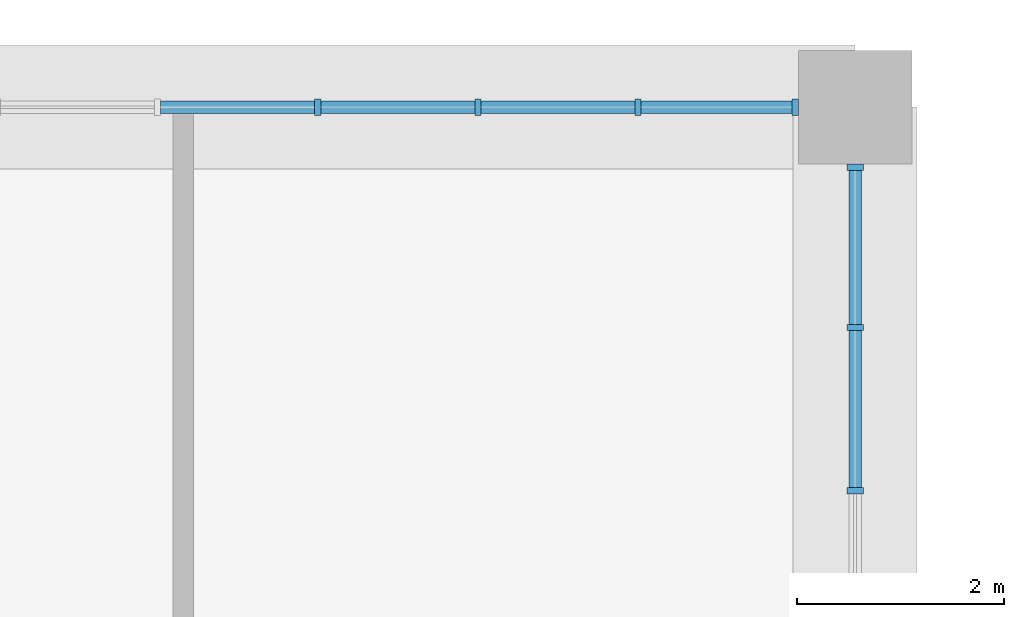
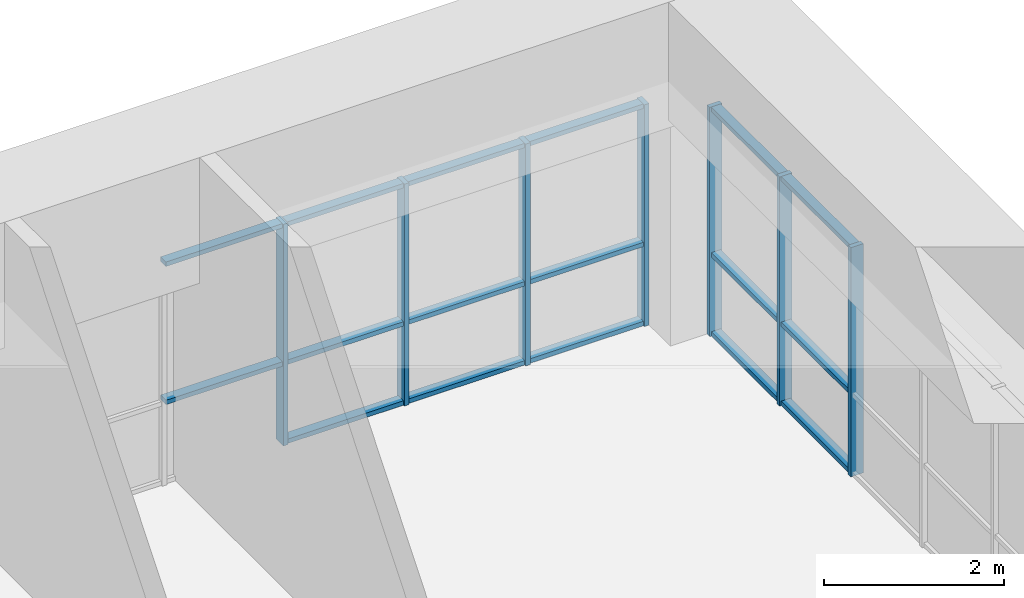
# One storey, part 16 of 27: 24 members, 2 elements without a shape of their own.
"""IFC4 building model written with IfcOpenShell, lengths in metres."""

from ifc_helpers import new_model, si_unit, direction, frame, origin, origin_2d, place, context, subcontext, project, spatial, rectangle, extrude, material, material_profile, profile_set, type_object, element, aggregate, save


model = new_model("IFC4")

# Units and contexts
model_context = context("Model", 3, precision=1e-05, world=origin(), true_north=direction((0.0, 1.0)))
body_context = subcontext(model_context, "Body", "Model", "MODEL_VIEW")
ifc_project = project(units=[si_unit("LENGTHUNIT", "METRE"), si_unit("AREAUNIT", "SQUARE_METRE"), si_unit("VOLUMEUNIT", "CUBIC_METRE"), si_unit("PLANEANGLEUNIT", "RADIAN"), si_unit("MASSUNIT", "GRAM", prefix="KILO")], contexts=[model_context])

# Site, building, storey
site_placement = place(None, origin())
site = spatial("IfcSite", under=ifc_project, at=site_placement, CompositionType="ELEMENT")
building_placement = place(site_placement, origin())
building = spatial("IfcBuilding", under=site, at=building_placement, Name="Kilele Tower Hotel", CompositionType="ELEMENT")
storey_placement = place(building_placement, frame((0.0, 0.0, 6.0)))
storey = spatial("IfcBuildingStorey", under=building, at=storey_placement, Name="L01", CompositionType="ELEMENT", Elevation=6.0)

# Curtain wall, members
ifc_material_1 = material(Name="Aluminium curtain wall, clear double glazing", Category="aluminium")
curtain_wall_type_1 = type_object("IfcCurtainWallType", Name="Podium curtain wall CW-1", PredefinedType="NOTDEFINED", material=ifc_material_1)
curtain_wall_1_placement = place(storey_placement, origin())
curtain_wall_1 = element("IfcCurtainWall", 1, at=curtain_wall_1_placement, inside=storey, type_object=curtain_wall_type_1, Name="Podium curtain wall CW-1 L01", PredefinedType="NOTDEFINED")
ifc_material_2 = material(Name="Aluminium EN AW-6063 T6", Category="aluminium")
ifc_material_profile_1 = material_profile(ifc_material_2, rectangle(XDim=0.159912109375, YDim=0.06005859375, at=origin_2d()))
ifc_profile_set_1 = profile_set([ifc_material_profile_1], Name="Aluminium EN AW-6063 T6")
member_type_1 = type_object("IfcMemberType", Name="Mullion 60x160 CW-1", PredefinedType="MULLION", material=ifc_profile_set_1)
member_1_placement = place(storey_placement, frame((57.919921875, 40.5, 0.0), z_axis=(0.0, 0.0, 1.0), x_axis=(0.0, -1.0, 0.0)))
member_1 = element("IfcMember", 2, at=member_1_placement, type_object=member_type_1, Name="CW-1 mullion 1", PredefinedType="MULLION", context=body_context, shape_type="SweptSolid", body=[
    extrude(rectangle(XDim=0.159912109375, YDim=0.06005859375, at=origin_2d()), origin(), (0.0, 0.0, 1.0), 3.0),
])
member_2_placement = place(storey_placement, frame((56.39990234375, 40.5, 0.0), z_axis=(0.0, 0.0, 1.0), x_axis=(0.0, -1.0, 0.0)))
member_2 = element("IfcMember", 3, at=member_2_placement, type_object=member_type_1, Name="CW-1 mullion 2", PredefinedType="MULLION", context=body_context, shape_type="SweptSolid", body=[
    extrude(rectangle(XDim=0.159912109375, YDim=0.06005859375, at=origin_2d()), origin(), (0.0, 0.0, 1.0), 3.0),
])
member_3_placement = place(storey_placement, frame((54.85009765625, 40.5, 0.0), z_axis=(0.0, 0.0, 1.0), x_axis=(0.0, -1.0, 0.0)))
member_3 = element("IfcMember", 4, at=member_3_placement, type_object=member_type_1, Name="CW-1 mullion 3", PredefinedType="MULLION", context=body_context, shape_type="SweptSolid", body=[
    extrude(rectangle(XDim=0.159912109375, YDim=0.06005859375, at=origin_2d()), origin(), (0.0, 0.0, 1.0), 3.0),
])
member_4_placement = place(storey_placement, frame((53.300048828125, 40.5, 0.0), z_axis=(0.0, 0.0, 1.0), x_axis=(0.0, -1.0, 0.0)))
member_4 = element("IfcMember", 5, at=member_4_placement, type_object=member_type_1, Name="CW-1 mullion 4", PredefinedType="MULLION", context=body_context, shape_type="SweptSolid", body=[
    extrude(rectangle(XDim=0.159912109375, YDim=0.06005859375, at=origin_2d()), origin(), (0.0, 0.0, 1.0), 3.0),
])

ifc_material_3 = material(Name="Aluminium curtain wall, clear double glazing", Category="aluminium")
curtain_wall_type_2 = type_object("IfcCurtainWallType", Name="Podium side curtain wall CW-2", PredefinedType="NOTDEFINED", material=ifc_material_3)
curtain_wall_2_placement = place(storey_placement, origin())
curtain_wall_2 = element("IfcCurtainWall", 6, at=curtain_wall_2_placement, inside=storey, type_object=curtain_wall_type_2, Name="Podium side curtain wall CW-2 L01", PredefinedType="NOTDEFINED")
ifc_material_4 = material(Name="Aluminium EN AW-6063 T6", Category="aluminium")
ifc_material_profile_2 = material_profile(ifc_material_4, rectangle(XDim=0.159912109375, YDim=0.06005859375, at=origin_2d()))
ifc_profile_set_2 = profile_set([ifc_material_profile_2], Name="Aluminium EN AW-6063 T6")
member_type_2 = type_object("IfcMemberType", Name="Mullion 60x160 CW-2", PredefinedType="MULLION", material=ifc_profile_set_2)
member_5_placement = place(storey_placement, frame((58.5, 36.7900390625, 0.0), z_axis=(0.0, 0.0, 1.0), x_axis=(-1.0, 0.0, 0.0)))
member_5 = element("IfcMember", 7, at=member_5_placement, type_object=member_type_2, Name="CW-2 mullion 4", PredefinedType="MULLION", context=body_context, shape_type="SweptSolid", body=[
    extrude(rectangle(XDim=0.159912109375, YDim=0.06005859375, at=origin_2d()), origin(), (0.0, 0.0, 1.0), 3.10009765625),
])
member_6_placement = place(storey_placement, frame((58.5, 38.3701171875, 0.0), z_axis=(0.0, 0.0, 1.0), x_axis=(-1.0, 0.0, 0.0)))
member_6 = element("IfcMember", 8, at=member_6_placement, type_object=member_type_2, Name="CW-2 mullion 5", PredefinedType="MULLION", context=body_context, shape_type="SweptSolid", body=[
    extrude(rectangle(XDim=0.159912109375, YDim=0.06005859375, at=origin_2d()), origin(), (0.0, 0.0, 1.0), 3.10009765625),
])
member_7_placement = place(storey_placement, frame((58.5, 39.919921875, 0.0), z_axis=(0.0, 0.0, 1.0), x_axis=(-1.0, 0.0, 0.0)))
member_7 = element("IfcMember", 9, at=member_7_placement, type_object=member_type_2, Name="CW-2 mullion 6", PredefinedType="MULLION", context=body_context, shape_type="SweptSolid", body=[
    extrude(rectangle(XDim=0.159912109375, YDim=0.06005859375, at=origin_2d()), origin(), (0.0, 0.0, 1.0), 3.10009765625),
])

# Member
ifc_material_5 = material(Name="Aluminium EN AW-6063 T6", Category="aluminium")
ifc_material_profile_3 = material_profile(ifc_material_5, rectangle(XDim=0.1201171875, YDim=0.06005859375, at=origin_2d()))
ifc_profile_set_3 = profile_set([ifc_material_profile_3], Name="Aluminium EN AW-6063 T6")
member_type_3 = type_object("IfcMemberType", Name="Transom 60x120 CW-1", PredefinedType="USERDEFINED", material=ifc_profile_set_3)
member_8_placement = place(storey_placement, frame((57.889892578125, 40.5, 0.030029296875), z_axis=(-1.0, 0.0, 0.0), x_axis=(0.0, -1.0, 0.0)))
member_8 = element("IfcMember", 10, at=member_8_placement, type_object=member_type_3, Name="CW-1 transom 1.1", ObjectType="TRANSOM", PredefinedType="USERDEFINED", context=body_context, shape_type="SweptSolid", body=[
    extrude(rectangle(XDim=0.1201171875, YDim=0.06005859375, at=origin_2d()), origin(), (0.0, 0.0, 1.0), 1.4599609375),
])

member_9_placement = place(storey_placement, frame((57.889892578125, 40.5, 1.10009765625), z_axis=(-1.0, 0.0, 0.0), x_axis=(0.0, -1.0, 0.0)))
member_9 = element("IfcMember", 11, at=member_9_placement, type_object=member_type_3, Name="CW-1 transom 1.2", ObjectType="TRANSOM", PredefinedType="USERDEFINED", context=body_context, shape_type="SweptSolid", body=[
    extrude(rectangle(XDim=0.1201171875, YDim=0.06005859375, at=origin_2d()), origin(), (0.0, 0.0, 1.0), 1.4599609375),
])

member_10_placement = place(storey_placement, frame((57.889892578125, 40.5, 2.969970703125), z_axis=(-1.0, 0.0, 0.0), x_axis=(0.0, -1.0, 0.0)))
member_10 = element("IfcMember", 12, at=member_10_placement, type_object=member_type_3, Name="CW-1 transom 1.3", ObjectType="TRANSOM", PredefinedType="USERDEFINED", context=body_context, shape_type="SweptSolid", body=[
    extrude(rectangle(XDim=0.1201171875, YDim=0.06005859375, at=origin_2d()), origin(), (0.0, 0.0, 1.0), 1.4599609375),
])

member_11_placement = place(storey_placement, frame((56.3701171875, 40.5, 0.030029296875), z_axis=(-1.0, 0.0, 0.0), x_axis=(0.0, -1.0, 0.0)))
member_11 = element("IfcMember", 13, at=member_11_placement, type_object=member_type_3, Name="CW-1 transom 2.1", ObjectType="TRANSOM", PredefinedType="USERDEFINED", context=body_context, shape_type="SweptSolid", body=[
    extrude(rectangle(XDim=0.1201171875, YDim=0.06005859375, at=origin_2d()), origin(), (0.0, 0.0, 1.0), 1.490234375),
])

member_12_placement = place(storey_placement, frame((56.3701171875, 40.5, 1.10009765625), z_axis=(-1.0, 0.0, 0.0), x_axis=(0.0, -1.0, 0.0)))
member_12 = element("IfcMember", 14, at=member_12_placement, type_object=member_type_3, Name="CW-1 transom 2.2", ObjectType="TRANSOM", PredefinedType="USERDEFINED", context=body_context, shape_type="SweptSolid", body=[
    extrude(rectangle(XDim=0.1201171875, YDim=0.06005859375, at=origin_2d()), origin(), (0.0, 0.0, 1.0), 1.490234375),
])

member_13_placement = place(storey_placement, frame((56.3701171875, 40.5, 2.969970703125), z_axis=(-1.0, 0.0, 0.0), x_axis=(0.0, -1.0, 0.0)))
member_13 = element("IfcMember", 15, at=member_13_placement, type_object=member_type_3, Name="CW-1 transom 2.3", ObjectType="TRANSOM", PredefinedType="USERDEFINED", context=body_context, shape_type="SweptSolid", body=[
    extrude(rectangle(XDim=0.1201171875, YDim=0.06005859375, at=origin_2d()), origin(), (0.0, 0.0, 1.0), 1.490234375),
])

member_14_placement = place(storey_placement, frame((54.820068359375, 40.5, 0.030029296875), z_axis=(-1.0, 0.0, 0.0), x_axis=(0.0, -1.0, 0.0)))
member_14 = element("IfcMember", 16, at=member_14_placement, type_object=member_type_3, Name="CW-1 transom 3.1", ObjectType="TRANSOM", PredefinedType="USERDEFINED", context=body_context, shape_type="SweptSolid", body=[
    extrude(rectangle(XDim=0.1201171875, YDim=0.06005859375, at=origin_2d()), origin(), (0.0, 0.0, 1.0), 1.489990234375),
])

member_15_placement = place(storey_placement, frame((54.820068359375, 40.5, 1.10009765625), z_axis=(-1.0, 0.0, 0.0), x_axis=(0.0, -1.0, 0.0)))
member_15 = element("IfcMember", 17, at=member_15_placement, type_object=member_type_3, Name="CW-1 transom 3.2", ObjectType="TRANSOM", PredefinedType="USERDEFINED", context=body_context, shape_type="SweptSolid", body=[
    extrude(rectangle(XDim=0.1201171875, YDim=0.06005859375, at=origin_2d()), origin(), (0.0, 0.0, 1.0), 1.489990234375),
])

member_16_placement = place(storey_placement, frame((54.820068359375, 40.5, 2.969970703125), z_axis=(-1.0, 0.0, 0.0), x_axis=(0.0, -1.0, 0.0)))
member_16 = element("IfcMember", 18, at=member_16_placement, type_object=member_type_3, Name="CW-1 transom 3.3", ObjectType="TRANSOM", PredefinedType="USERDEFINED", context=body_context, shape_type="SweptSolid", body=[
    extrude(rectangle(XDim=0.1201171875, YDim=0.06005859375, at=origin_2d()), origin(), (0.0, 0.0, 1.0), 1.489990234375),
])

member_17_placement = place(storey_placement, frame((53.27001953125, 40.5, 1.10009765625), z_axis=(-1.0, 0.0, 0.0), x_axis=(0.0, -1.0, 0.0)))
member_17 = element("IfcMember", 19, at=member_17_placement, type_object=member_type_3, Name="CW-1 transom 4.2", ObjectType="TRANSOM", PredefinedType="USERDEFINED", context=body_context, shape_type="SweptSolid", body=[
    extrude(rectangle(XDim=0.1201171875, YDim=0.06005859375, at=origin_2d()), origin(), (0.0, 0.0, 1.0), 1.489990234375),
])

member_18_placement = place(storey_placement, frame((53.27001953125, 40.5, 2.969970703125), z_axis=(-1.0, 0.0, 0.0), x_axis=(0.0, -1.0, 0.0)))
member_18 = element("IfcMember", 20, at=member_18_placement, type_object=member_type_3, Name="CW-1 transom 4.3", ObjectType="TRANSOM", PredefinedType="USERDEFINED", context=body_context, shape_type="SweptSolid", body=[
    extrude(rectangle(XDim=0.1201171875, YDim=0.06005859375, at=origin_2d()), origin(), (0.0, 0.0, 1.0), 1.489990234375),
])

aggregate(curtain_wall_1, [member_1, member_2, member_3, member_4, member_8, member_9, member_10, member_11, member_12, member_13, member_14, member_15, member_16, member_17, member_18])

ifc_material_6 = material(Name="Aluminium EN AW-6063 T6", Category="aluminium")
ifc_material_profile_4 = material_profile(ifc_material_6, rectangle(XDim=0.1201171875, YDim=0.06005859375, at=origin_2d()))
ifc_profile_set_4 = profile_set([ifc_material_profile_4], Name="Aluminium EN AW-6063 T6")
member_type_4 = type_object("IfcMemberType", Name="Transom 60x120 CW-2", PredefinedType="USERDEFINED", material=ifc_profile_set_4)
member_19_placement = place(storey_placement, frame((58.5, 36.820068359375, 0.030029296875), z_axis=(0.0, 1.0, 0.0), x_axis=(-1.0, 0.0, 0.0)))
member_19 = element("IfcMember", 21, at=member_19_placement, type_object=member_type_4, Name="CW-2 transom 4.1", ObjectType="TRANSOM", PredefinedType="USERDEFINED", context=body_context, shape_type="SweptSolid", body=[
    extrude(rectangle(XDim=0.1201171875, YDim=0.06005859375, at=origin_2d()), origin(), (0.0, 0.0, 1.0), 1.52001953125),
])

member_20_placement = place(storey_placement, frame((58.5, 36.820068359375, 1.10009765625), z_axis=(0.0, 1.0, 0.0), x_axis=(-1.0, 0.0, 0.0)))
member_20 = element("IfcMember", 22, at=member_20_placement, type_object=member_type_4, Name="CW-2 transom 4.2", ObjectType="TRANSOM", PredefinedType="USERDEFINED", context=body_context, shape_type="SweptSolid", body=[
    extrude(rectangle(XDim=0.1201171875, YDim=0.06005859375, at=origin_2d()), origin(), (0.0, 0.0, 1.0), 1.52001953125),
])

member_21_placement = place(storey_placement, frame((58.5, 36.820068359375, 3.070068359375), z_axis=(0.0, 1.0, 0.0), x_axis=(-1.0, 0.0, 0.0)))
member_21 = element("IfcMember", 23, at=member_21_placement, type_object=member_type_4, Name="CW-2 transom 4.3", ObjectType="TRANSOM", PredefinedType="USERDEFINED", context=body_context, shape_type="SweptSolid", body=[
    extrude(rectangle(XDim=0.1201171875, YDim=0.06005859375, at=origin_2d()), origin(), (0.0, 0.0, 1.0), 1.52001953125),
])

member_22_placement = place(storey_placement, frame((58.5, 38.39990234375, 0.030029296875), z_axis=(0.0, 1.0, 0.0), x_axis=(-1.0, 0.0, 0.0)))
member_22 = element("IfcMember", 24, at=member_22_placement, type_object=member_type_4, Name="CW-2 transom 5.1", ObjectType="TRANSOM", PredefinedType="USERDEFINED", context=body_context, shape_type="SweptSolid", body=[
    extrude(rectangle(XDim=0.1201171875, YDim=0.06005859375, at=origin_2d()), origin(), (0.0, 0.0, 1.0), 1.489990234375),
])

member_23_placement = place(storey_placement, frame((58.5, 38.39990234375, 1.10009765625), z_axis=(0.0, 1.0, 0.0), x_axis=(-1.0, 0.0, 0.0)))
member_23 = element("IfcMember", 25, at=member_23_placement, type_object=member_type_4, Name="CW-2 transom 5.2", ObjectType="TRANSOM", PredefinedType="USERDEFINED", context=body_context, shape_type="SweptSolid", body=[
    extrude(rectangle(XDim=0.1201171875, YDim=0.06005859375, at=origin_2d()), origin(), (0.0, 0.0, 1.0), 1.489990234375),
])

member_24_placement = place(storey_placement, frame((58.5, 38.39990234375, 3.070068359375), z_axis=(0.0, 1.0, 0.0), x_axis=(-1.0, 0.0, 0.0)))
member_24 = element("IfcMember", 26, at=member_24_placement, type_object=member_type_4, Name="CW-2 transom 5.3", ObjectType="TRANSOM", PredefinedType="USERDEFINED", context=body_context, shape_type="SweptSolid", body=[
    extrude(rectangle(XDim=0.1201171875, YDim=0.06005859375, at=origin_2d()), origin(), (0.0, 0.0, 1.0), 1.489990234375),
])

aggregate(curtain_wall_2, [member_5, member_6, member_7, member_19, member_20, member_21, member_22, member_23, member_24])

save(model, "model.ifc")
